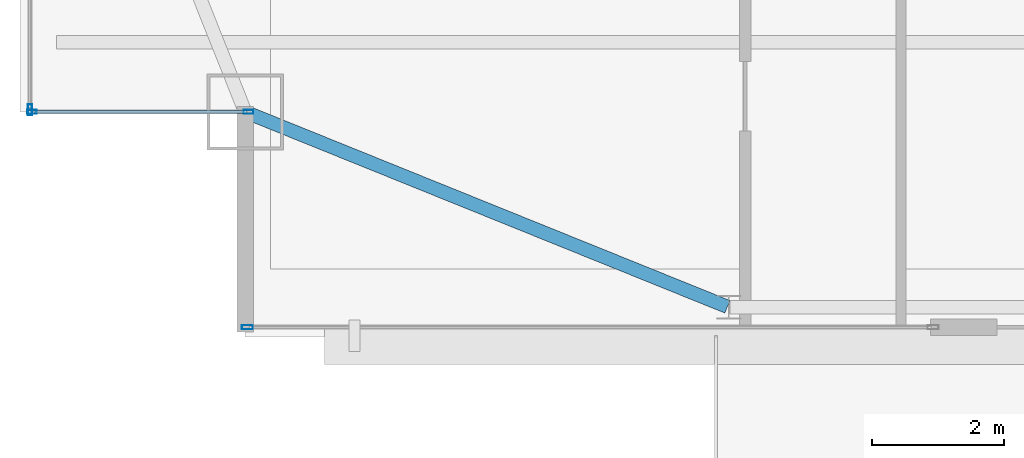
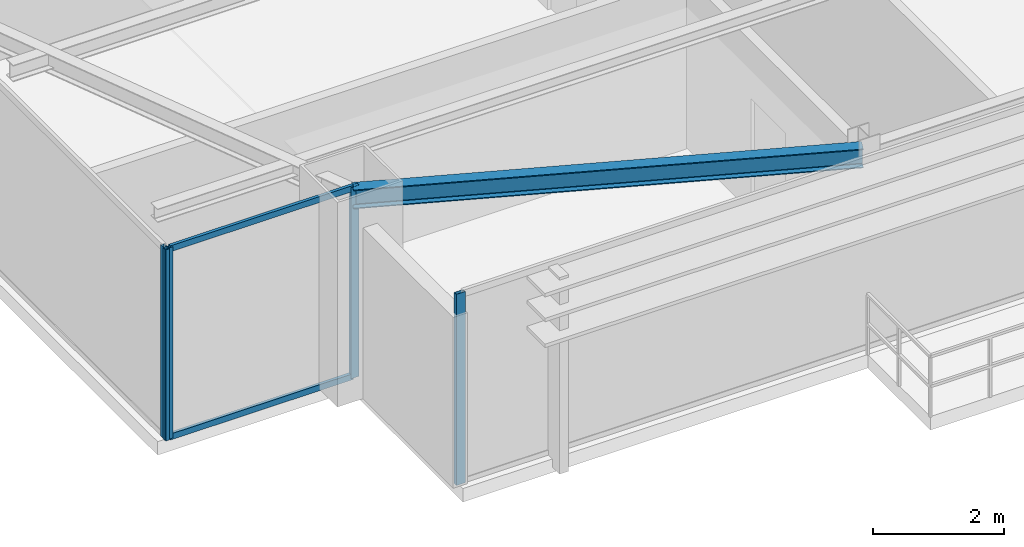
# One storey, part 4 of 30: 6 members, 1 beam, 3 elements without a shape of their own.
"""IFC4 building model written with IfcOpenShell, lengths in metres."""

from ifc_helpers import new_model, si_unit, direction, frame, origin, origin_2d, place, context, subcontext, project, spatial, hollow_rectangle, i_section, extrude, source, transform, mapped, material, layer, layer_set, material_profile, profile_set, type_object, type_shapes, element, aggregate, save


model = new_model("IFC4")

# Units and contexts
model_context = context("Model", 3, precision=1e-05, world=origin(), true_north=direction((0.0, 1.0)))
body_context = subcontext(model_context, "Body", "Model", "MODEL_VIEW")
ifc_project = project(units=[si_unit("LENGTHUNIT", "METRE"), si_unit("AREAUNIT", "SQUARE_METRE"), si_unit("VOLUMEUNIT", "CUBIC_METRE"), si_unit("PLANEANGLEUNIT", "RADIAN"), si_unit("MASSUNIT", "GRAM", prefix="KILO")], contexts=[model_context])

# Site, building, storey
site_placement = place(None, origin())
site = spatial("IfcSite", under=ifc_project, at=site_placement, CompositionType="ELEMENT")
building_placement = place(site_placement, origin())
building = spatial("IfcBuilding", under=site, at=building_placement, Name="Varnel Quay Broadcast Tower", CompositionType="ELEMENT")
storey_placement = place(building_placement, frame((0.0, 0.0, 211.199951171875)))
storey = spatial("IfcBuildingStorey", under=building, at=storey_placement, Name="L52", CompositionType="ELEMENT", Elevation=211.199951171875)

# Beam
ifc_material_1 = material(Name="Structural Steel CSA G40.21 350W", Category="steel")
ifc_material_profile_1 = material_profile(ifc_material_1, i_section(OverallWidth=0.205078125, OverallDepth=0.35400390625, WebThickness=0.009521484375, FlangeThickness=0.016845703125, FilletRadius=0.012939453125, at=origin_2d()), Name="W360X79")
ifc_profile_set_1 = profile_set([ifc_material_profile_1], Name="Structural Steel CSA G40.21 350W")
beam_type = type_object("IfcBeamType", Name="Beam_W360X79", PredefinedType="SPANDREL", material=ifc_profile_set_1)
shared_shape_1 = source(origin(), body_context, "Body", "SweptSolid", [
    extrude(i_section(OverallWidth=0.205078125, OverallDepth=0.35400390625, WebThickness=0.009521484375, FlangeThickness=0.016845703125, FilletRadius=0.012939453125, at=origin_2d()), origin(), (0.0, 0.0, 1.0), 7.83349609375),
])
type_shapes(beam_type, [shared_shape_1])
beam_placement = place(storey_placement, frame((12.91845703125, 13.592529296875, 3.373046875), z_axis=(0.927155449606, -0.374676890489, 0.0), x_axis=(0.374676890489, 0.927155449606, 0.0)))
element("IfcBeam", 1, at=beam_placement, inside=storey, type_object=beam_type, Name="L52 South Spandrel MC-SW-TC-S1", PredefinedType="SPANDREL", context=body_context, shape_type="MappedRepresentation", body=[
    mapped(shared_shape_1, transform((0.0, 0.0, 0.0), x_axis=(1.0, 0.0, 0.0), y_axis=(0.0, 1.0, 0.0), z_axis=(0.0, 0.0, 1.0), scale=1.0)),
])

# Curtain wall, members
ifc_material_2 = material(Name="Anodised Bronze Aluminium 6063-T6", Category="aluminium")
ifc_layer_1 = layer(ifc_material_2, 0.18994140625, Name="Anodised Bronze Aluminium 6063-T6")
ifc_layer_set_1 = layer_set([ifc_layer_1], Name="Anodised Bronze Aluminium 6063-T6")
curtain_wall_type_1 = type_object("IfcCurtainWallType", Name="CW_NotchCorner", PredefinedType="NOTDEFINED", material=ifc_layer_set_1)
curtain_wall_1_placement = place(storey_placement, origin())
curtain_wall_1 = element("IfcCurtainWall", 2, at=curtain_wall_1_placement, inside=storey, type_object=curtain_wall_type_1, Name="L52 SW Notch Curtain Wall", PredefinedType="NOTDEFINED")
ifc_material_profile_2 = material_profile(ifc_material_2, hollow_rectangle(XDim=0.06005859375, YDim=0.14501953125, WallThickness=0.00341796875, at=origin_2d()), Name="ALU60X145X3.5")
ifc_profile_set_2 = profile_set([ifc_material_profile_2], Name="Anodised Bronze Aluminium 6063-T6")
member_type_1 = type_object("IfcMemberType", Name="Mull_CWS-04", PredefinedType="MULLION", material=ifc_profile_set_2)
shared_shape_2 = source(origin(), body_context, "Body", "SweptSolid", [
    extrude(hollow_rectangle(XDim=0.06005859375, YDim=0.14501953125, WallThickness=0.00341796875, at=origin_2d()), origin(), (0.0, 0.0, 1.0), 3.550048828125),
])
type_shapes(member_type_1, [shared_shape_2])
member_1_placement = place(storey_placement, frame((9.679931640625, 13.60009765625, 0.0), z_axis=(0.0, 0.0, 1.0), x_axis=(0.0, 1.0, 0.0)))
member_1 = element("IfcMember", 3, at=member_1_placement, type_object=member_type_1, Name="CWS-04 mullion 1", PredefinedType="MULLION", context=body_context, shape_type="MappedRepresentation", body=[
    mapped(shared_shape_2, transform((0.0, 0.0, 0.0), x_axis=(1.0, 0.0, 0.0), y_axis=(0.0, 1.0, 0.0), z_axis=(0.0, 0.0, 1.0), scale=1.0)),
])
member_2_placement = place(storey_placement, frame((12.949951171875, 13.60009765625, 0.0), z_axis=(0.0, 0.0, 1.0), x_axis=(0.0, 1.0, 0.0)))
member_2 = element("IfcMember", 4, at=member_2_placement, type_object=member_type_1, Name="CWS-04 mullion 2", PredefinedType="MULLION", context=body_context, shape_type="MappedRepresentation", body=[
    mapped(shared_shape_2, transform((0.0, 0.0, 0.0), x_axis=(1.0, 0.0, 0.0), y_axis=(0.0, 1.0, 0.0), z_axis=(0.0, 0.0, 1.0), scale=1.0)),
])

# Curtain wall, member
ifc_layer_2 = layer(ifc_material_2, 0.18994140625, Name="Anodised Bronze Aluminium 6063-T6")
ifc_layer_set_2 = layer_set([ifc_layer_2], Name="Anodised Bronze Aluminium 6063-T6")
curtain_wall_type_2 = type_object("IfcCurtainWallType", Name="CW_UpperTower", PredefinedType="NOTDEFINED", material=ifc_layer_set_2)
curtain_wall_2_placement = place(storey_placement, origin())
curtain_wall_2 = element("IfcCurtainWall", 5, at=curtain_wall_2_placement, inside=storey, type_object=curtain_wall_type_2, Name="L52 South Unitised Curtain Wall 1", PredefinedType="NOTDEFINED")
ifc_material_profile_3 = material_profile(ifc_material_2, hollow_rectangle(XDim=0.06494140625, YDim=0.1650390625, WallThickness=0.00341796875, at=origin_2d()), Name="ALU65X165X3.5")
ifc_profile_set_3 = profile_set([ifc_material_profile_3], Name="Anodised Bronze Aluminium 6063-T6")
member_type_2 = type_object("IfcMemberType", Name="Mull_CWS-03", PredefinedType="MULLION", material=ifc_profile_set_3)
shared_shape_3 = source(origin(), body_context, "Body", "SweptSolid", [
    extrude(hollow_rectangle(XDim=0.06494140625, YDim=0.1650390625, WallThickness=0.00341796875, at=origin_2d()), origin(), (0.0, 0.0, 1.0), 3.550048828125),
])
type_shapes(member_type_2, [shared_shape_3])
member_3_placement = place(storey_placement, frame((12.9326171875, 10.35009765625, 0.0), z_axis=(0.0, 0.0, 1.0), x_axis=(0.0, 1.0, 0.0)))
member_3 = element("IfcMember", 6, at=member_3_placement, type_object=member_type_2, Name="CWS-03 mullion 1", PredefinedType="MULLION", context=body_context, shape_type="MappedRepresentation", body=[
    mapped(shared_shape_3, transform((0.0, 0.0, 0.0), x_axis=(1.0, 0.0, 0.0), y_axis=(0.0, 1.0, 0.0), z_axis=(0.0, 0.0, 1.0), scale=1.0)),
])
aggregate(curtain_wall_2, [member_3])

curtain_wall_3_placement = place(storey_placement, origin())
curtain_wall_3 = element("IfcCurtainWall", 7, at=curtain_wall_3_placement, inside=storey, type_object=curtain_wall_type_2, Name="L52 West Unitised Curtain Wall", PredefinedType="NOTDEFINED")
member_4_placement = place(storey_placement, frame((9.64990234375, 13.632568359375, 0.0), z_axis=(0.0, 0.0, 1.0), x_axis=(-1.0, 0.0, 0.0)))
member_4 = element("IfcMember", 8, at=member_4_placement, type_object=member_type_2, Name="CWS-03 mullion 1", PredefinedType="MULLION", context=body_context, shape_type="MappedRepresentation", body=[
    mapped(shared_shape_3, transform((0.0, 0.0, 0.0), x_axis=(1.0, 0.0, 0.0), y_axis=(0.0, 1.0, 0.0), z_axis=(0.0, 0.0, 1.0), scale=1.0)),
])
aggregate(curtain_wall_3, [member_4])

# Member
ifc_material_profile_4 = material_profile(ifc_material_2, hollow_rectangle(XDim=0.054931640625, YDim=0.110107421875, WallThickness=0.0029296875, at=origin_2d()), Name="ALU55X110X3")
ifc_profile_set_4 = profile_set([ifc_material_profile_4], Name="Anodised Bronze Aluminium 6063-T6")
member_type_3 = type_object("IfcMemberType", Name="Tran_CWS-04", PredefinedType="USERDEFINED", material=ifc_profile_set_4)
shared_shape_4 = source(origin(), body_context, "Body", "SweptSolid", [
    extrude(hollow_rectangle(XDim=0.054931640625, YDim=0.110107421875, WallThickness=0.0029296875, at=origin_2d()), origin(), (0.0, 0.0, 1.0), 3.2099609375),
])
type_shapes(member_type_3, [shared_shape_4])
member_5_placement = place(storey_placement, frame((9.7099609375, 13.60009765625, 0.027587890625), z_axis=(1.0, 0.0, 0.0), x_axis=(0.0, 1.0, 0.0)))
member_5 = element("IfcMember", 9, at=member_5_placement, type_object=member_type_3, Name="CWS-04 transom 1.1", ObjectType="TRANSOM", PredefinedType="USERDEFINED", context=body_context, shape_type="MappedRepresentation", body=[
    mapped(shared_shape_4, transform((0.0, 0.0, 0.0), x_axis=(1.0, 0.0, 0.0), y_axis=(0.0, 1.0, 0.0), z_axis=(0.0, 0.0, 1.0), scale=1.0)),
])

member_6_placement = place(storey_placement, frame((9.7099609375, 13.60009765625, 3.5224609375), z_axis=(1.0, 0.0, 0.0), x_axis=(0.0, 1.0, 0.0)))
member_6 = element("IfcMember", 10, at=member_6_placement, type_object=member_type_3, Name="CWS-04 transom 1.2", ObjectType="TRANSOM", PredefinedType="USERDEFINED", context=body_context, shape_type="MappedRepresentation", body=[
    mapped(shared_shape_4, transform((0.0, 0.0, 0.0), x_axis=(1.0, 0.0, 0.0), y_axis=(0.0, 1.0, 0.0), z_axis=(0.0, 0.0, 1.0), scale=1.0)),
])

aggregate(curtain_wall_1, [member_1, member_2, member_5, member_6])

save(model, "model.ifc")
